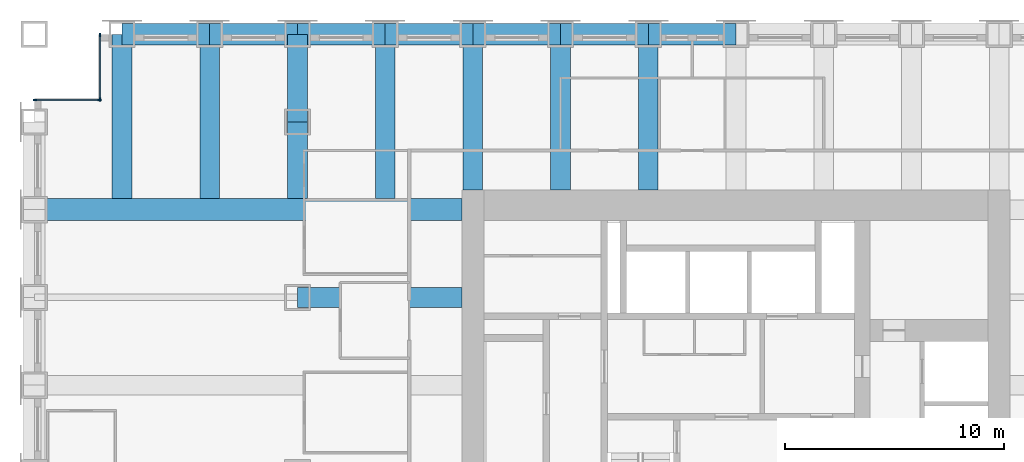
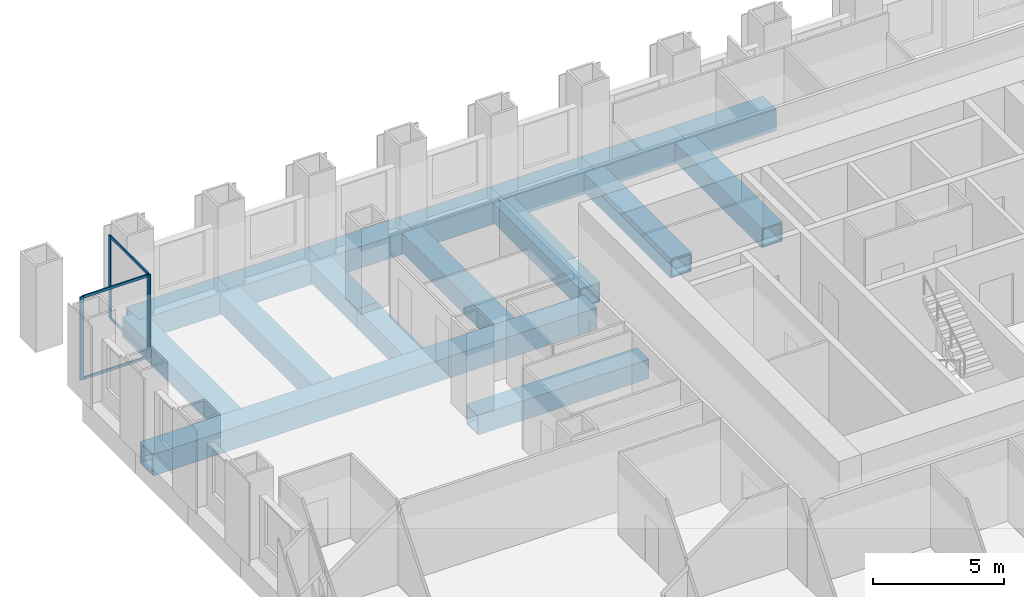
# One storey, part 6 of 15: 17 beams, 8 members, 2 elements without a shape of their own.
"""IFC4 building model written with IfcOpenShell, lengths in metres."""

from ifc_helpers import new_model, si_unit, direction, frame, origin, origin_2d, place, context, subcontext, project, spatial, rectangle, hollow_rectangle, extrude, material, material_profile, profile_set, type_object, element, aggregate, save


model = new_model("IFC4")

# Units and contexts
model_context = context("Model", 3, precision=1e-05, world=origin(), true_north=direction((0.0, 1.0)))
body_context = subcontext(model_context, "Body", "Model", "MODEL_VIEW")
ifc_project = project(units=[si_unit("LENGTHUNIT", "METRE"), si_unit("AREAUNIT", "SQUARE_METRE"), si_unit("VOLUMEUNIT", "CUBIC_METRE"), si_unit("PLANEANGLEUNIT", "RADIAN"), si_unit("MASSUNIT", "GRAM", prefix="KILO")], contexts=[model_context])

# Site, building, storey
site_placement = place(None, origin())
site = spatial("IfcSite", under=ifc_project, at=site_placement, CompositionType="ELEMENT")
building_placement = place(site_placement, origin())
building = spatial("IfcBuilding", under=site, at=building_placement, Name="Rimbunsela Tower", CompositionType="ELEMENT")
storey_placement = place(building_placement, frame((0.0, 0.0, 27.0)))
storey = spatial("IfcBuildingStorey", under=building, at=storey_placement, Name="L06", CompositionType="ELEMENT", Elevation=27.0)

# Beams
ifc_material_1 = material(Name="Steel BJ 55 (fy 410 MPa)", Category="steel")
ifc_material_profile_1 = material_profile(ifc_material_1, hollow_rectangle(XDim=1.0, YDim=1.0, WallThickness=0.10009765625, at=origin_2d()), Name="BOX 1000x1000x100")
ifc_profile_set_1 = profile_set([ifc_material_profile_1], Name="Steel BJ 55 (fy 410 MPa)")
beam_type_1 = type_object("IfcBeamType", Name="Beam BOX 1000x1000x100", PredefinedType="BEAM", material=ifc_profile_set_1)
beam_1_placement = place(storey_placement, frame((-2.0, 36.0, -0.64990234375), z_axis=(1.0, 0.0, 0.0), x_axis=(0.0, 1.0, 0.0)))
element("IfcBeam", 1, at=beam_1_placement, inside=storey, type_object=beam_type_1, Name="Beam B3 L06", PredefinedType="BEAM", context=body_context, shape_type="SweptSolid", body=[
    extrude(hollow_rectangle(XDim=1.0, YDim=1.0, WallThickness=0.10009765625, at=origin_2d()), origin(), (0.0, 0.0, 1.0), 19.5),
])
for number, where, z_axis, x_axis, name in (
    (2, (2.0, 44.0, -0.64990234375), (1.0, 0.0, 0.0), (0.0, 1.0, 0.0), "Beam B3 L06"),
    (3, (6.0, 44.0, -0.64990234375), (1.0, 0.0, 0.0), (0.0, 1.0, 0.0), "Beam B3 L06"),
    (4, (10.0, 44.0, -0.64990234375), (1.0, 0.0, 0.0), (0.0, 1.0, 0.0), "Beam B3 L06"),
    (5, (14.0, 44.0, -0.64990234375), (1.0, 0.0, 0.0), (0.0, 1.0, 0.0), "Beam B3 L06"),
    (6, (18.0, 44.0, -0.64990234375), (1.0, 0.0, 0.0), (0.0, 1.0, 0.0), "Beam B3 L06"),
    (7, (22.0, 44.0, -0.64990234375), (1.0, 0.0, 0.0), (0.0, 1.0, 0.0), "Beam B3 L06"),
    (8, (26.0, 44.0, -0.64990234375), (1.0, 0.0, 0.0), (0.0, 1.0, 0.0), "Beam B3 L06"),
):
    element("IfcBeam", number, at=place(storey_placement, frame(where, z_axis=z_axis, x_axis=x_axis)), inside=storey, type_object=beam_type_1, Name=name, PredefinedType="BEAM", context=body_context, shape_type="SweptSolid", body=[
        extrude(hollow_rectangle(XDim=1.0, YDim=1.0, WallThickness=0.10009765625, at=origin_2d()), origin(), (0.0, 0.0, 1.0), 4.0),
    ])
ifc_material_2 = material(Name="Steel BJ 55 (fy 410 MPa)", Category="steel")
ifc_material_profile_2 = material_profile(ifc_material_2, hollow_rectangle(XDim=0.89990234375, YDim=0.89990234375, WallThickness=0.06005859375, at=origin_2d()), Name="BOX 900x900x60")
ifc_profile_set_2 = profile_set([ifc_material_profile_2], Name="Steel BJ 55 (fy 410 MPa)")
beam_type_2 = type_object("IfcBeamType", Name="Beam BOX 900x900x60", PredefinedType="BEAM", material=ifc_profile_set_2)
for number, where, z_axis, x_axis, name in (
    (9, (2.0, 36.5, -0.60009765625), (0.0, 1.0, 0.0), (-1.0, 0.0, 0.0), "Beam B1 L06"),
    (10, (6.0, 36.5, -0.60009765625), (0.0, 1.0, 0.0), (-1.0, 0.0, 0.0), "Beam B1 L06"),
    (11, (10.0, 32.0, -0.60009765625), (1.0, 0.0, 0.0), (0.0, 1.0, 0.0), "Beam B1 L06"),
):
    element("IfcBeam", number, at=place(storey_placement, frame(where, z_axis=z_axis, x_axis=x_axis)), inside=storey, type_object=beam_type_2, Name=name, PredefinedType="BEAM", context=body_context, shape_type="SweptSolid", body=[
        extrude(hollow_rectangle(XDim=0.89990234375, YDim=0.89990234375, WallThickness=0.06005859375, at=origin_2d()), origin(), (0.0, 0.0, 1.0), 7.5),
    ])
beam_2_placement = place(storey_placement, frame((10.0, 36.5, -0.60009765625), z_axis=(0.0, 1.0, 0.0), x_axis=(-1.0, 0.0, 0.0)))
element("IfcBeam", 12, at=beam_2_placement, inside=storey, type_object=beam_type_2, Name="Beam B1 L06", PredefinedType="BEAM", context=body_context, shape_type="SweptSolid", body=[
    extrude(hollow_rectangle(XDim=0.89990234375, YDim=0.89990234375, WallThickness=0.06005859375, at=origin_2d()), origin(), (0.0, 0.0, 1.0), 3.5),
])
beam_3_placement = place(storey_placement, frame((10.0, 40.0, -0.60009765625), z_axis=(0.0, 1.0, 0.0), x_axis=(-1.0, 0.0, 0.0)))
element("IfcBeam", 13, at=beam_3_placement, inside=storey, type_object=beam_type_2, Name="Beam B1 L06", PredefinedType="BEAM", context=body_context, shape_type="SweptSolid", body=[
    extrude(hollow_rectangle(XDim=0.89990234375, YDim=0.89990234375, WallThickness=0.06005859375, at=origin_2d()), origin(), (0.0, 0.0, 1.0), 4.0),
])
beam_4_placement = place(storey_placement, frame((14.0, 36.5, -0.60009765625), z_axis=(0.0, 1.0, 0.0), x_axis=(-1.0, 0.0, 0.0)))
element("IfcBeam", 14, at=beam_4_placement, inside=storey, type_object=beam_type_2, Name="Beam B1 L06", PredefinedType="BEAM", context=body_context, shape_type="SweptSolid", body=[
    extrude(hollow_rectangle(XDim=0.89990234375, YDim=0.89990234375, WallThickness=0.06005859375, at=origin_2d()), origin(), (0.0, 0.0, 1.0), 7.5),
])
for number, where, z_axis, x_axis, name in (
    (15, (18.0, 36.89990234375, -0.60009765625), (0.0, 1.0, 0.0), (-1.0, 0.0, 0.0), "Beam B1 L06"),
    (16, (22.0, 36.89990234375, -0.60009765625), (0.0, 1.0, 0.0), (-1.0, 0.0, 0.0), "Beam B1 L06"),
    (17, (26.0, 36.89990234375, -0.60009765625), (0.0, 1.0, 0.0), (-1.0, 0.0, 0.0), "Beam B1 L06"),
):
    element("IfcBeam", number, at=place(storey_placement, frame(where, z_axis=z_axis, x_axis=x_axis)), inside=storey, type_object=beam_type_2, Name=name, PredefinedType="BEAM", context=body_context, shape_type="SweptSolid", body=[
        extrude(hollow_rectangle(XDim=0.89990234375, YDim=0.89990234375, WallThickness=0.06005859375, at=origin_2d()), origin(), (0.0, 0.0, 1.0), 7.10009765625),
    ])

# Curtain wall, members
ifc_material_3 = material(Name="Aluminium curtain wall", Category="aluminium")
curtain_wall_type = type_object("IfcCurtainWallType", Name="Corner glazing", PredefinedType="USERDEFINED", material=ifc_material_3)
curtain_wall_1_placement = place(storey_placement, origin())
curtain_wall_1 = element("IfcCurtainWall", 18, at=curtain_wall_1_placement, inside=storey, type_object=curtain_wall_type, Name="Corner glazing L06", ObjectType="CORNER GLAZING", PredefinedType="USERDEFINED")
ifc_material_4 = material(Name="Aluminium mullion", Category="aluminium")
ifc_material_profile_3 = material_profile(ifc_material_4, rectangle(XDim=0.06005859375, YDim=0.159912109375, at=origin_2d()), Name="Mullion 60x160")
ifc_profile_set_3 = profile_set([ifc_material_profile_3], Name="Aluminium mullion")
member_type_1 = type_object("IfcMemberType", Name="Curtain wall mullion 60x160", PredefinedType="MULLION", material=ifc_profile_set_3)
member_1_placement = place(storey_placement, frame((1.0, 43.969970703125, 0.0), z_axis=(0.0, 0.0, 1.0), x_axis=(1.0, 0.0, 0.0)))
member_1 = element("IfcMember", 19, at=member_1_placement, type_object=member_type_1, Name="CW5 mullion 1", PredefinedType="MULLION", context=body_context, shape_type="SweptSolid", body=[
    extrude(rectangle(XDim=0.06005859375, YDim=0.159912109375, at=origin_2d()), origin(), (0.0, 0.0, 1.0), 3.85009765625),
])
member_2_placement = place(storey_placement, frame((1.0, 41.030029296875, 0.0), z_axis=(0.0, 0.0, 1.0), x_axis=(1.0, 0.0, 0.0)))
member_2 = element("IfcMember", 20, at=member_2_placement, type_object=member_type_1, Name="CW5 mullion 2", PredefinedType="MULLION", context=body_context, shape_type="SweptSolid", body=[
    extrude(rectangle(XDim=0.06005859375, YDim=0.159912109375, at=origin_2d()), origin(), (0.0, 0.0, 1.0), 3.85009765625),
])

curtain_wall_2_placement = place(storey_placement, origin())
curtain_wall_2 = element("IfcCurtainWall", 21, at=curtain_wall_2_placement, inside=storey, type_object=curtain_wall_type, Name="Corner glazing L06", ObjectType="CORNER GLAZING", PredefinedType="USERDEFINED")
member_3_placement = place(storey_placement, frame((0.969970703125, 41.0, 0.0), z_axis=(0.0, 0.0, 1.0), x_axis=(0.0, -1.0, 0.0)))
member_3 = element("IfcMember", 22, at=member_3_placement, type_object=member_type_1, Name="CW5 mullion 1", PredefinedType="MULLION", context=body_context, shape_type="SweptSolid", body=[
    extrude(rectangle(XDim=0.06005859375, YDim=0.159912109375, at=origin_2d()), origin(), (0.0, 0.0, 1.0), 3.85009765625),
])
member_4_placement = place(storey_placement, frame((-1.969970703125, 41.0, 0.0), z_axis=(0.0, 0.0, 1.0), x_axis=(0.0, -1.0, 0.0)))
member_4 = element("IfcMember", 23, at=member_4_placement, type_object=member_type_1, Name="CW5 mullion 2", PredefinedType="MULLION", context=body_context, shape_type="SweptSolid", body=[
    extrude(rectangle(XDim=0.06005859375, YDim=0.159912109375, at=origin_2d()), origin(), (0.0, 0.0, 1.0), 3.85009765625),
])

# Member
ifc_material_5 = material(Name="Aluminium transom", Category="aluminium")
ifc_material_profile_4 = material_profile(ifc_material_5, rectangle(XDim=0.06005859375, YDim=0.1201171875, at=origin_2d()), Name="Transom 60x120")
ifc_profile_set_4 = profile_set([ifc_material_profile_4], Name="Aluminium transom")
member_type_2 = type_object("IfcMemberType", Name="Curtain wall transom 60x120", PredefinedType="USERDEFINED", material=ifc_profile_set_4)
member_5_placement = place(storey_placement, frame((1.0, 43.93994140625, 0.030029296875), z_axis=(0.0, -1.0, 0.0), x_axis=(1.0, 0.0, 0.0)))
member_5 = element("IfcMember", 24, at=member_5_placement, type_object=member_type_2, Name="CW5 transom 1.1", ObjectType="TRANSOM", PredefinedType="USERDEFINED", context=body_context, shape_type="SweptSolid", body=[
    extrude(rectangle(XDim=0.06005859375, YDim=0.1201171875, at=origin_2d()), origin(), (0.0, 0.0, 1.0), 2.8798828125),
])

member_6_placement = place(storey_placement, frame((1.0, 43.93994140625, 3.820068359375), z_axis=(0.0, -1.0, 0.0), x_axis=(1.0, 0.0, 0.0)))
member_6 = element("IfcMember", 25, at=member_6_placement, type_object=member_type_2, Name="CW5 transom 1.2", ObjectType="TRANSOM", PredefinedType="USERDEFINED", context=body_context, shape_type="SweptSolid", body=[
    extrude(rectangle(XDim=0.06005859375, YDim=0.1201171875, at=origin_2d()), origin(), (0.0, 0.0, 1.0), 2.8798828125),
])

aggregate(curtain_wall_1, [member_1, member_2, member_5, member_6])

member_7_placement = place(storey_placement, frame((0.93994140625, 41.0, 0.030029296875), z_axis=(-1.0, 0.0, 0.0), x_axis=(0.0, -1.0, 0.0)))
member_7 = element("IfcMember", 26, at=member_7_placement, type_object=member_type_2, Name="CW5 transom 1.1", ObjectType="TRANSOM", PredefinedType="USERDEFINED", context=body_context, shape_type="SweptSolid", body=[
    extrude(rectangle(XDim=0.06005859375, YDim=0.1201171875, at=origin_2d()), origin(), (0.0, 0.0, 1.0), 2.8798828125),
])

member_8_placement = place(storey_placement, frame((0.93994140625, 41.0, 3.820068359375), z_axis=(-1.0, 0.0, 0.0), x_axis=(0.0, -1.0, 0.0)))
member_8 = element("IfcMember", 27, at=member_8_placement, type_object=member_type_2, Name="CW5 transom 1.2", ObjectType="TRANSOM", PredefinedType="USERDEFINED", context=body_context, shape_type="SweptSolid", body=[
    extrude(rectangle(XDim=0.06005859375, YDim=0.1201171875, at=origin_2d()), origin(), (0.0, 0.0, 1.0), 2.8798828125),
])

aggregate(curtain_wall_2, [member_3, member_4, member_7, member_8])

save(model, "model.ifc")
